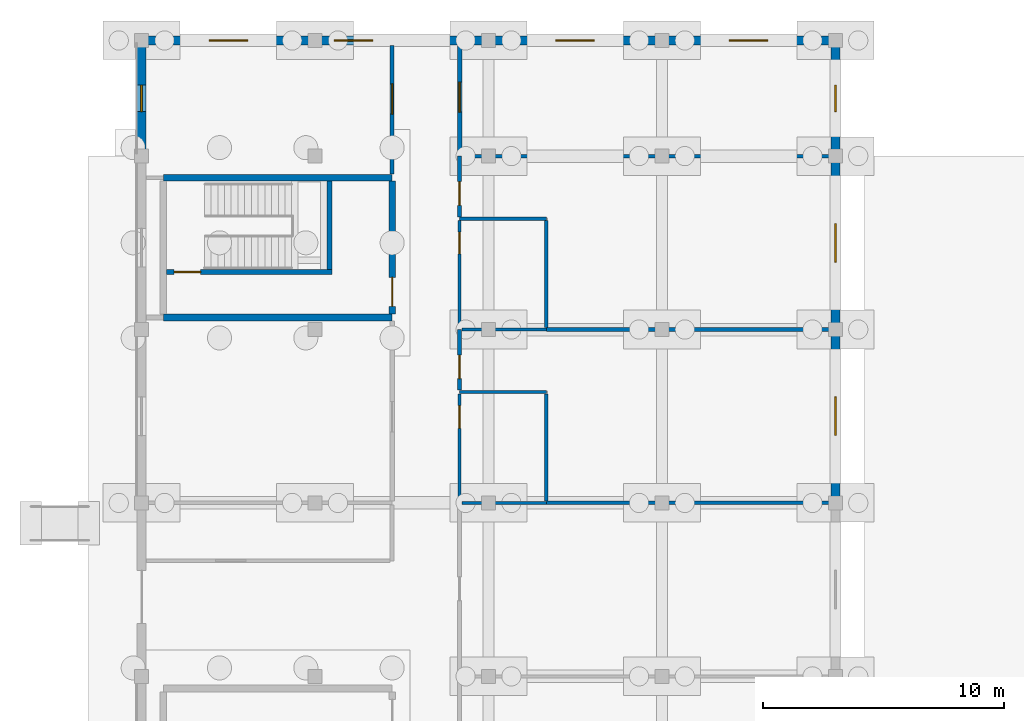
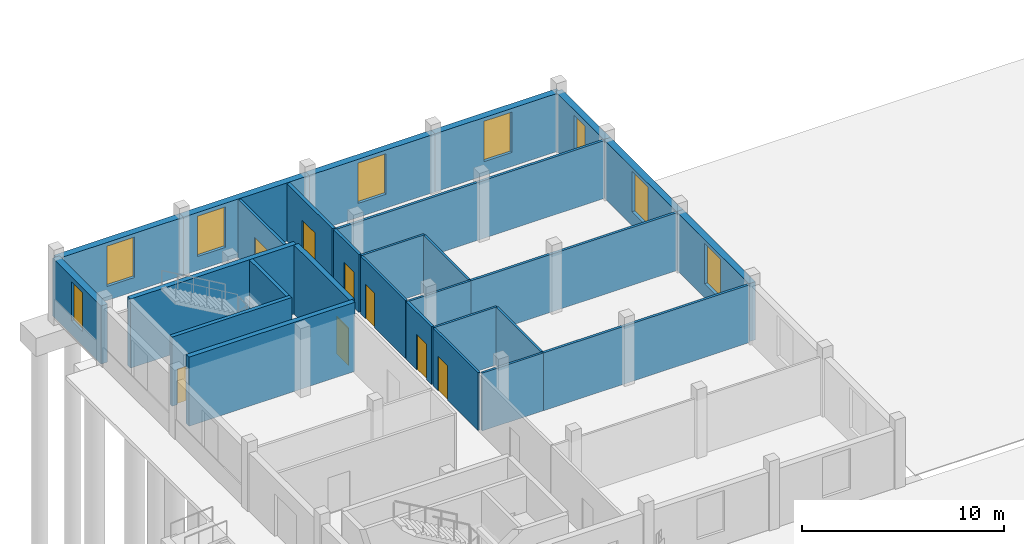
# One storey, part 80 of 98: 28 walls, 8 doors, 8 windows, 16 openings.
"""IFC4 building model written with IfcOpenShell, lengths in metres."""

from ifc_helpers import new_model, si_unit, direction, frame, frame_2d, origin, place, context, subcontext, project, spatial, rectangle, extrude, material, layer, layer_set, type_object, element, fill, save


model = new_model("IFC4")

# Units and contexts
model_context = context("Model", 3, precision=1e-05, world=origin(), true_north=direction((0.0, 1.0)))
body_context = subcontext(model_context, "Body", "Model", "MODEL_VIEW")
ifc_project = project(units=[si_unit("LENGTHUNIT", "METRE"), si_unit("AREAUNIT", "SQUARE_METRE"), si_unit("VOLUMEUNIT", "CUBIC_METRE"), si_unit("PLANEANGLEUNIT", "RADIAN"), si_unit("MASSUNIT", "GRAM", prefix="KILO")], contexts=[model_context])

# Site, building, storey
site_placement = place(None, origin())
site = spatial("IfcSite", under=ifc_project, at=site_placement, CompositionType="ELEMENT")
building_placement = place(site_placement, origin())
building = spatial("IfcBuilding", under=site, at=building_placement, Name="Zornivar Specialist Clinic", CompositionType="ELEMENT")
storey_placement = place(building_placement, origin())
storey = spatial("IfcBuildingStorey", under=building, at=storey_placement, Name="L00", CompositionType="ELEMENT", Elevation=0.0)

# Wall, opening, window
ifc_material_1 = material(Name="Masonry Vratsa Limestone and Brick Banded Wall", Category="masonry")
ifc_layer_1 = layer(ifc_material_1, 0.3798828125)
ifc_layer_set_1 = layer_set([ifc_layer_1], Name="Masonry Vratsa Limestone and Brick Banded Wall")
wall_type_1 = type_object("IfcWallType", Name="EW-LIMESTONE-380", PredefinedType="SOLIDWALL", material=ifc_layer_set_1)
wall_1_placement = place(storey_placement, frame((28.800048828125, 93.60009765625, 0.0), z_axis=(0.0, 0.0, 1.0), x_axis=(0.0, 1.0, 0.0)))
wall_1 = element("IfcWall", 1, at=wall_1_placement, inside=storey, type_object=wall_type_1, Name="ew:V5:L00:06", PredefinedType="SOLIDWALL", context=body_context, shape_type="SweptSolid", body=[
    extrude(rectangle(XDim=7.199951171875, YDim=0.3798828125, at=frame_2d((3.60009765625, 0.0))), origin(), (0.0, 0.0, 1.0), 3.52001953125),
])
opening_1_placement = place(wall_1_placement, frame((2.800048828125, 0.0, 0.85009765625)))
opening_1 = element("IfcOpeningElement", 2, at=opening_1_placement, cuts=wall_1, Name="Opening W-01", PredefinedType="OPENING", context=body_context, shape_type="SweptSolid", body=[
    extrude(rectangle(XDim=1.60009765625, YDim=2.449951171875, at=frame_2d((0.800048828125, 1.22509765625))), frame((0.0, 0.199951171875, 0.0), z_axis=(0.0, -1.0, 0.0), x_axis=(1.0, 0.0, 0.0)), (0.0, 0.0, 1.0), 0.39990234375),
])
ifc_material_2 = material(Name="Triple-Glazed Aluminium-Timber Window Glass", Category="wood")
window_type_1 = type_object("IfcWindowType", Name="WIN-PLINTH-MOD-1600x2450", PartitioningType="SINGLE_PANEL", PredefinedType="WINDOW", material=ifc_material_2)
window_1_placement = place(opening_1_placement, origin())
window_1 = element("IfcWindow", 3, at=window_1_placement, inside=storey, type_object=window_type_1, Name="win:V5:L00:06", OverallHeight=2.449951171875, OverallWidth=1.60009765625, PartitioningType="SINGLE_PANEL", PredefinedType="WINDOW", context=body_context, shape_type="SweptSolid", body=[
    extrude(rectangle(XDim=1.60009765625, YDim=2.449951171875, at=frame_2d((0.800048828125, 1.22509765625))), frame((0.0, 0.030029296875, 0.0), z_axis=(0.0, -1.0, 0.0), x_axis=(1.0, 0.0, 0.0)), (0.0, 0.0, 1.0), 0.06005859375),
])
fill(opening_1, window_1)

wall_2_placement = place(storey_placement, frame((28.800048828125, 100.800048828125, 0.0), z_axis=(0.0, 0.0, 1.0), x_axis=(0.0, 1.0, 0.0)))
wall_2 = element("IfcWall", 4, at=wall_2_placement, inside=storey, type_object=wall_type_1, Name="ew:V5:L00:07", PredefinedType="SOLIDWALL", context=body_context, shape_type="SweptSolid", body=[
    extrude(rectangle(XDim=7.199951171875, YDim=0.3798828125, at=frame_2d((3.60009765625, 0.0))), origin(), (0.0, 0.0, 1.0), 3.52001953125),
])
opening_2_placement = place(wall_2_placement, frame((2.800048828125, 0.0, 0.85009765625)))
opening_2 = element("IfcOpeningElement", 5, at=opening_2_placement, cuts=wall_2, Name="Opening W-01", PredefinedType="OPENING", context=body_context, shape_type="SweptSolid", body=[
    extrude(rectangle(XDim=1.60009765625, YDim=2.449951171875, at=frame_2d((0.800048828125, 1.22509765625))), frame((0.0, 0.199951171875, 0.0), z_axis=(0.0, -1.0, 0.0), x_axis=(1.0, 0.0, 0.0)), (0.0, 0.0, 1.0), 0.39990234375),
])
window_2_placement = place(opening_2_placement, origin())
window_2 = element("IfcWindow", 6, at=window_2_placement, inside=storey, type_object=window_type_1, Name="win:V5:L00:07", OverallHeight=2.449951171875, OverallWidth=1.60009765625, PartitioningType="SINGLE_PANEL", PredefinedType="WINDOW", context=body_context, shape_type="SweptSolid", body=[
    extrude(rectangle(XDim=1.60009765625, YDim=2.449951171875, at=frame_2d((0.800048828125, 1.22509765625))), frame((0.0, 0.030029296875, 0.0), z_axis=(0.0, -1.0, 0.0), x_axis=(1.0, 0.0, 0.0)), (0.0, 0.0, 1.0), 0.06005859375),
])
fill(opening_2, window_2)

wall_3_placement = place(storey_placement, frame((28.800048828125, 108.0, 0.0), z_axis=(0.0, 0.0, 1.0), x_axis=(0.0, 1.0, 0.0)))
wall_3 = element("IfcWall", 7, at=wall_3_placement, inside=storey, type_object=wall_type_1, Name="ew:V5:L00:08", PredefinedType="SOLIDWALL", context=body_context, shape_type="SweptSolid", body=[
    extrude(rectangle(XDim=4.800048828125, YDim=0.3798828125, at=frame_2d((2.39990234375, 0.0))), origin(), (0.0, 0.0, 1.0), 3.52001953125),
])
opening_3_placement = place(wall_3_placement, frame((1.85009765625, 0.0, 0.85009765625)))
opening_3 = element("IfcOpeningElement", 8, at=opening_3_placement, cuts=wall_3, Name="Opening W-04", PredefinedType="OPENING", context=body_context, shape_type="SweptSolid", body=[
    extrude(rectangle(XDim=1.10009765625, YDim=2.35009765625, at=frame_2d((0.550048828125, 1.175048828125))), frame((0.0, 0.199951171875, 0.0), z_axis=(0.0, -1.0, 0.0), x_axis=(1.0, 0.0, 0.0)), (0.0, 0.0, 1.0), 0.39990234375),
])
ifc_material_3 = material(Name="Triple-Glazed Aluminium-Timber Window Glass", Category="wood")
window_type_2 = type_object("IfcWindowType", Name="WIN-PLINTH-PIER-1100x2350", PartitioningType="SINGLE_PANEL", PredefinedType="WINDOW", material=ifc_material_3)
window_3_placement = place(opening_3_placement, origin())
window_3 = element("IfcWindow", 9, at=window_3_placement, inside=storey, type_object=window_type_2, Name="win:V5:L00:08", OverallHeight=2.35009765625, OverallWidth=1.10009765625, PartitioningType="SINGLE_PANEL", PredefinedType="WINDOW", context=body_context, shape_type="SweptSolid", body=[
    extrude(rectangle(XDim=1.10009765625, YDim=2.35009765625, at=frame_2d((0.550048828125, 1.175048828125))), frame((0.0, 0.030029296875, 0.0), z_axis=(0.0, -1.0, 0.0), x_axis=(1.0, 0.0, 0.0)), (0.0, 0.0, 1.0), 0.06005859375),
])
fill(opening_3, window_3)

wall_4_placement = place(storey_placement, frame((28.800048828125, 112.800048828125, 0.0), z_axis=(0.0, 0.0, 1.0), x_axis=(-1.0, 0.0, 0.0)))
wall_4 = element("IfcWall", 10, at=wall_4_placement, inside=storey, type_object=wall_type_1, Name="ew:V5:L00:09", PredefinedType="SOLIDWALL", context=body_context, shape_type="SweptSolid", body=[
    extrude(rectangle(XDim=7.199951171875, YDim=0.3798828125, at=frame_2d((3.60009765625, 0.0))), origin(), (0.0, 0.0, 1.0), 3.52001953125),
])
opening_4_placement = place(wall_4_placement, frame((2.800048828125, 0.0, 0.85009765625)))
opening_4 = element("IfcOpeningElement", 11, at=opening_4_placement, cuts=wall_4, Name="Opening W-01", PredefinedType="OPENING", context=body_context, shape_type="SweptSolid", body=[
    extrude(rectangle(XDim=1.60009765625, YDim=2.449951171875, at=frame_2d((0.800048828125, 1.22509765625))), frame((0.0, 0.199951171875, 0.0), z_axis=(0.0, -1.0, 0.0), x_axis=(1.0, 0.0, 0.0)), (0.0, 0.0, 1.0), 0.39990234375),
])
window_4_placement = place(opening_4_placement, origin())
window_4 = element("IfcWindow", 12, at=window_4_placement, inside=storey, type_object=window_type_1, Name="win:V5:L00:09", OverallHeight=2.449951171875, OverallWidth=1.60009765625, PartitioningType="SINGLE_PANEL", PredefinedType="WINDOW", context=body_context, shape_type="SweptSolid", body=[
    extrude(rectangle(XDim=1.60009765625, YDim=2.449951171875, at=frame_2d((0.800048828125, 1.22509765625))), frame((0.0, 0.030029296875, 0.0), z_axis=(0.0, -1.0, 0.0), x_axis=(1.0, 0.0, 0.0)), (0.0, 0.0, 1.0), 0.06005859375),
])
fill(opening_4, window_4)

wall_5_placement = place(storey_placement, frame((21.60009765625, 112.800048828125, 0.0), z_axis=(0.0, 0.0, 1.0), x_axis=(-1.0, 0.0, 0.0)))
wall_5 = element("IfcWall", 13, at=wall_5_placement, inside=storey, type_object=wall_type_1, Name="ew:V5:L00:10", PredefinedType="SOLIDWALL", context=body_context, shape_type="SweptSolid", body=[
    extrude(rectangle(XDim=7.2001953125, YDim=0.3798828125, at=frame_2d((3.60009765625, 0.0))), origin(), (0.0, 0.0, 1.0), 3.52001953125),
])
opening_5_placement = place(wall_5_placement, frame((2.800048828125, 0.0, 0.85009765625)))
opening_5 = element("IfcOpeningElement", 14, at=opening_5_placement, cuts=wall_5, Name="Opening W-01", PredefinedType="OPENING", context=body_context, shape_type="SweptSolid", body=[
    extrude(rectangle(XDim=1.60009765625, YDim=2.449951171875, at=frame_2d((0.800048828125, 1.22509765625))), frame((0.0, 0.199951171875, 0.0), z_axis=(0.0, -1.0, 0.0), x_axis=(1.0, 0.0, 0.0)), (0.0, 0.0, 1.0), 0.39990234375),
])
window_5_placement = place(opening_5_placement, origin())
window_5 = element("IfcWindow", 15, at=window_5_placement, inside=storey, type_object=window_type_1, Name="win:V5:L00:10", OverallHeight=2.449951171875, OverallWidth=1.60009765625, PartitioningType="SINGLE_PANEL", PredefinedType="WINDOW", context=body_context, shape_type="SweptSolid", body=[
    extrude(rectangle(XDim=1.60009765625, YDim=2.449951171875, at=frame_2d((0.800048828125, 1.22509765625))), frame((0.0, 0.030029296875, 0.0), z_axis=(0.0, -1.0, 0.0), x_axis=(1.0, 0.0, 0.0)), (0.0, 0.0, 1.0), 0.06005859375),
])
fill(opening_5, window_5)

wall_6_placement = place(storey_placement, frame((14.39990234375, 112.800048828125, 0.0), z_axis=(0.0, 0.0, 1.0), x_axis=(-1.0, 0.0, 0.0)))
wall_6 = element("IfcWall", 16, at=wall_6_placement, inside=storey, type_object=wall_type_1, Name="ew:V5:L00:11", PredefinedType="SOLIDWALL", context=body_context, shape_type="SweptSolid", body=[
    extrude(rectangle(XDim=7.199951171875, YDim=0.3798828125, at=frame_2d((3.60009765625, 0.0))), origin(), (0.0, 0.0, 1.0), 3.52001953125),
])
opening_6_placement = place(wall_6_placement, frame((4.800048828125, 0.0, 0.85009765625)))
opening_6 = element("IfcOpeningElement", 17, at=opening_6_placement, cuts=wall_6, Name="Opening W-01", PredefinedType="OPENING", context=body_context, shape_type="SweptSolid", body=[
    extrude(rectangle(XDim=1.60009765625, YDim=2.449951171875, at=frame_2d((0.800048828125, 1.22509765625))), frame((0.0, 0.199951171875, 0.0), z_axis=(0.0, -1.0, 0.0), x_axis=(1.0, 0.0, 0.0)), (0.0, 0.0, 1.0), 0.39990234375),
])
window_6_placement = place(opening_6_placement, origin())
window_6 = element("IfcWindow", 18, at=window_6_placement, inside=storey, type_object=window_type_1, Name="win:V5:L00:11", OverallHeight=2.449951171875, OverallWidth=1.60009765625, PartitioningType="SINGLE_PANEL", PredefinedType="WINDOW", context=body_context, shape_type="SweptSolid", body=[
    extrude(rectangle(XDim=1.60009765625, YDim=2.449951171875, at=frame_2d((0.800048828125, 1.22509765625))), frame((0.0, 0.030029296875, 0.0), z_axis=(0.0, -1.0, 0.0), x_axis=(1.0, 0.0, 0.0)), (0.0, 0.0, 1.0), 0.06005859375),
])
fill(opening_6, window_6)

wall_7_placement = place(storey_placement, frame((7.199951171875, 112.800048828125, 0.0), z_axis=(0.0, 0.0, 1.0), x_axis=(-1.0, 0.0, 0.0)))
wall_7 = element("IfcWall", 19, at=wall_7_placement, inside=storey, type_object=wall_type_1, Name="ew:V5:L00:12", PredefinedType="SOLIDWALL", context=body_context, shape_type="SweptSolid", body=[
    extrude(rectangle(XDim=7.199951171875, YDim=0.3798828125, at=frame_2d((3.60009765625, 0.0))), origin(), (0.0, 0.0, 1.0), 3.52001953125),
])
opening_7_placement = place(wall_7_placement, frame((2.800048828125, 0.0, 0.85009765625)))
opening_7 = element("IfcOpeningElement", 20, at=opening_7_placement, cuts=wall_7, Name="Opening W-01", PredefinedType="OPENING", context=body_context, shape_type="SweptSolid", body=[
    extrude(rectangle(XDim=1.60009765625, YDim=2.449951171875, at=frame_2d((0.800048828125, 1.22509765625))), frame((0.0, 0.199951171875, 0.0), z_axis=(0.0, -1.0, 0.0), x_axis=(1.0, 0.0, 0.0)), (0.0, 0.0, 1.0), 0.39990234375),
])
window_7_placement = place(opening_7_placement, origin())
window_7 = element("IfcWindow", 21, at=window_7_placement, inside=storey, type_object=window_type_1, Name="win:V5:L00:12", OverallHeight=2.449951171875, OverallWidth=1.60009765625, PartitioningType="SINGLE_PANEL", PredefinedType="WINDOW", context=body_context, shape_type="SweptSolid", body=[
    extrude(rectangle(XDim=1.60009765625, YDim=2.449951171875, at=frame_2d((0.800048828125, 1.22509765625))), frame((0.0, 0.030029296875, 0.0), z_axis=(0.0, -1.0, 0.0), x_axis=(1.0, 0.0, 0.0)), (0.0, 0.0, 1.0), 0.06005859375),
])
fill(opening_7, window_7)

wall_8_placement = place(storey_placement, frame((0.0, 112.800048828125, 0.0), z_axis=(0.0, 0.0, 1.0), x_axis=(0.0, -1.0, 0.0)))
wall_8 = element("IfcWall", 22, at=wall_8_placement, inside=storey, type_object=wall_type_1, Name="ew:V5:L00:13", PredefinedType="SOLIDWALL", context=body_context, shape_type="SweptSolid", body=[
    extrude(rectangle(XDim=4.800048828125, YDim=0.3798828125, at=frame_2d((2.39990234375, 0.0))), origin(), (0.0, 0.0, 1.0), 3.52001953125),
])
opening_8_placement = place(wall_8_placement, frame((1.85009765625, 0.0, 0.85009765625)))
opening_8 = element("IfcOpeningElement", 23, at=opening_8_placement, cuts=wall_8, Name="Opening W-04", PredefinedType="OPENING", context=body_context, shape_type="SweptSolid", body=[
    extrude(rectangle(XDim=1.10009765625, YDim=2.35009765625, at=frame_2d((0.550048828125, 1.175048828125))), frame((0.0, 0.199951171875, 0.0), z_axis=(0.0, -1.0, 0.0), x_axis=(1.0, 0.0, 0.0)), (0.0, 0.0, 1.0), 0.39990234375),
])
window_8_placement = place(opening_8_placement, origin())
window_8 = element("IfcWindow", 24, at=window_8_placement, inside=storey, type_object=window_type_2, Name="win:V5:L00:13", OverallHeight=2.35009765625, OverallWidth=1.10009765625, PartitioningType="SINGLE_PANEL", PredefinedType="WINDOW", context=body_context, shape_type="SweptSolid", body=[
    extrude(rectangle(XDim=1.10009765625, YDim=2.35009765625, at=frame_2d((0.550048828125, 1.175048828125))), frame((0.0, 0.030029296875, 0.0), z_axis=(0.0, -1.0, 0.0), x_axis=(1.0, 0.0, 0.0)), (0.0, 0.0, 1.0), 0.06005859375),
])
fill(opening_8, window_8)

# Wall, opening, door
ifc_material_4 = material(Name="Gypsum Fire-Rated Double Stud Partition")
ifc_layer_2 = layer(ifc_material_4, 0.159912109375)
ifc_layer_set_2 = layer_set([ifc_layer_2], Name="Gypsum Fire-Rated Double Stud Partition")
wall_type_2 = type_object("IfcWallType", Name="IW-CORR-EI60-160", PredefinedType="PARTITIONING", material=ifc_layer_set_2)
wall_9_placement = place(storey_placement, frame((10.39990234375, 112.594970703125, 0.0), z_axis=(0.0, 0.0, 1.0), x_axis=(0.0, -1.0, 0.0)))
wall_9 = element("IfcWall", 25, at=wall_9_placement, inside=storey, type_object=wall_type_2, Name="iw:L00:178", PredefinedType="PARTITIONING", context=body_context, shape_type="SweptSolid", body=[
    extrude(rectangle(XDim=5.340087890625, YDim=0.159912109375, at=frame_2d((2.669921875, 0.0))), origin(), (0.0, 0.0, 1.0), 3.5),
])
opening_9_placement = place(wall_9_placement, frame((1.597900390625, 0.0, 0.0)))
opening_9 = element("IfcOpeningElement", 26, at=opening_9_placement, cuts=wall_9, Name="Opening FD-06", PredefinedType="OPENING", context=body_context, shape_type="SweptSolid", body=[
    extrude(rectangle(XDim=1.25, YDim=2.199951171875, at=frame_2d((0.625, 1.10009765625))), frame((0.0, 0.08984375, 0.0), z_axis=(0.0, -1.0, 0.0), x_axis=(1.0, 0.0, 0.0)), (0.0, 0.0, 1.0), 0.179931640625),
])
ifc_material_5 = material(Name="Solid-Core Hygienic Laminate Timber Door", Category="wood")
door_type_1 = type_object("IfcDoorType", Name="FD-PHARM-GMP-1250x2200", OperationType="NOTDEFINED", PredefinedType="DOOR", material=ifc_material_5)
door_1_placement = place(opening_9_placement, origin())
door_1 = element("IfcDoor", 27, at=door_1_placement, inside=storey, type_object=door_type_1, Name="door:space:V5:L00:rm:02", OperationType="SINGLE_SWING_RIGHT", OverallHeight=2.199951171875, OverallWidth=1.25, PredefinedType="DOOR", context=body_context, shape_type="SweptSolid", body=[
    extrude(rectangle(XDim=1.25, YDim=2.199951171875, at=frame_2d((0.625, 1.10009765625))), frame((0.0, 0.02490234375, 0.0), z_axis=(0.0, -1.0, 0.0), x_axis=(1.0, 0.0, 0.0)), (0.0, 0.0, 1.0), 0.050048828125),
])
fill(opening_9, door_1)

wall_10_placement = place(storey_placement, frame((13.199951171875, 98.279052734375, 0.0), z_axis=(0.0, 0.0, 1.0), x_axis=(0.0, 1.0, 0.0)))
wall_10 = element("IfcWall", 28, at=wall_10_placement, inside=storey, type_object=wall_type_2, Name="iw:L00:188", PredefinedType="PARTITIONING", context=body_context, shape_type="SweptSolid", body=[
    extrude(rectangle(XDim=2.52099609375, YDim=0.159912109375, at=frame_2d((1.260498046875, 0.0))), origin(), (0.0, 0.0, 1.0), 3.5),
])
opening_10_placement = place(wall_10_placement, frame((0.47998046875, 0.0, 0.0)))
opening_10 = element("IfcOpeningElement", 29, at=opening_10_placement, cuts=wall_10, Name="Opening ID-09", PredefinedType="OPENING", context=body_context, shape_type="SweptSolid", body=[
    extrude(rectangle(XDim=0.97998046875, YDim=2.14990234375, at=frame_2d((0.489990234375, 1.074951171875))), frame((0.0, 0.08984375, 0.0), z_axis=(0.0, -1.0, 0.0), x_axis=(1.0, 0.0, 0.0)), (0.0, 0.0, 1.0), 0.179931640625),
])
ifc_material_6 = material(Name="Solid-Core Hygienic Laminate Timber Door", Category="wood")
door_type_2 = type_object("IfcDoorType", Name="ID-STAFF-0980x2150", OperationType="NOTDEFINED", PredefinedType="DOOR", material=ifc_material_6)
door_2_placement = place(opening_10_placement, origin())
door_2 = element("IfcDoor", 30, at=door_2_placement, inside=storey, type_object=door_type_2, Name="door:space:V5:L00:rm:05b", OperationType="SINGLE_SWING_RIGHT", OverallHeight=2.14990234375, OverallWidth=0.97998046875, PredefinedType="DOOR", context=body_context, shape_type="SweptSolid", body=[
    extrude(rectangle(XDim=0.97998046875, YDim=2.14990234375, at=frame_2d((0.489990234375, 1.074951171875))), frame((0.0, 0.02490234375, 0.0), z_axis=(0.0, -1.0, 0.0), x_axis=(1.0, 0.0, 0.0)), (0.0, 0.0, 1.0), 0.050048828125),
])
fill(opening_10, door_2)

wall_11_placement = place(storey_placement, frame((13.199951171875, 105.47900390625, 0.0), z_axis=(0.0, 0.0, 1.0), x_axis=(0.0, 1.0, 0.0)))
wall_11 = element("IfcWall", 31, at=wall_11_placement, inside=storey, type_object=wall_type_2, Name="iw:L00:194", PredefinedType="PARTITIONING", context=body_context, shape_type="SweptSolid", body=[
    extrude(rectangle(XDim=2.52099609375, YDim=0.159912109375, at=frame_2d((1.260498046875, 0.0))), origin(), (0.0, 0.0, 1.0), 3.5),
])
opening_11_placement = place(wall_11_placement, frame((0.47998046875, 0.0, 0.0)))
opening_11 = element("IfcOpeningElement", 32, at=opening_11_placement, cuts=wall_11, Name="Opening ID-09", PredefinedType="OPENING", context=body_context, shape_type="SweptSolid", body=[
    extrude(rectangle(XDim=0.97998046875, YDim=2.14990234375, at=frame_2d((0.489990234375, 1.074951171875))), frame((0.0, 0.08984375, 0.0), z_axis=(0.0, -1.0, 0.0), x_axis=(1.0, 0.0, 0.0)), (0.0, 0.0, 1.0), 0.179931640625),
])
door_3_placement = place(opening_11_placement, origin())
door_3 = element("IfcDoor", 33, at=door_3_placement, inside=storey, type_object=door_type_2, Name="door:space:V5:L00:rm:07b", OperationType="SINGLE_SWING_RIGHT", OverallHeight=2.14990234375, OverallWidth=0.97998046875, PredefinedType="DOOR", context=body_context, shape_type="SweptSolid", body=[
    extrude(rectangle(XDim=0.97998046875, YDim=2.14990234375, at=frame_2d((0.489990234375, 1.074951171875))), frame((0.0, 0.02490234375, 0.0), z_axis=(0.0, -1.0, 0.0), x_axis=(1.0, 0.0, 0.0)), (0.0, 0.0, 1.0), 0.050048828125),
])
fill(opening_11, door_3)

ifc_material_7 = material(Name="GMP Cleanroom Insulated Double Partition")
ifc_layer_3 = layer(ifc_material_7, 0.18994140625)
ifc_layer_set_3 = layer_set([ifc_layer_3], Name="GMP Cleanroom Insulated Double Partition")
wall_type_3 = type_object("IfcWallType", Name="IW-PHARM-GMP-190", PredefinedType="PARTITIONING", material=ifc_layer_set_3)
wall_12_placement = place(storey_placement, frame((13.199951171875, 108.089111328125, 0.0), z_axis=(0.0, 0.0, 1.0), x_axis=(0.0, 1.0, 0.0)))
wall_12 = element("IfcWall", 34, at=wall_12_placement, inside=storey, type_object=wall_type_3, Name="iw:L00:196", PredefinedType="PARTITIONING", context=body_context, shape_type="SweptSolid", body=[
    extrude(rectangle(XDim=4.505859375, YDim=0.18994140625, at=frame_2d((2.2529296875, 0.0))), origin(), (0.0, 0.0, 1.0), 3.5),
])
opening_12_placement = place(wall_12_placement, frame((1.73193359375, 0.0, 0.0)))
opening_12 = element("IfcOpeningElement", 35, at=opening_12_placement, cuts=wall_12, Name="Opening FD-06", PredefinedType="OPENING", context=body_context, shape_type="SweptSolid", body=[
    extrude(rectangle(XDim=1.25, YDim=2.199951171875, at=frame_2d((0.625, 1.10009765625))), frame((0.0, 0.10498046875, 0.0), z_axis=(0.0, -1.0, 0.0), x_axis=(1.0, 0.0, 0.0)), (0.0, 0.0, 1.0), 0.2099609375),
])
door_4_placement = place(opening_12_placement, origin())
door_4 = element("IfcDoor", 36, at=door_4_placement, inside=storey, type_object=door_type_1, Name="door:space:V5:L00:rm:09", OperationType="SINGLE_SWING_LEFT", OverallHeight=2.199951171875, OverallWidth=1.25, PredefinedType="DOOR", context=body_context, shape_type="SweptSolid", body=[
    extrude(rectangle(XDim=1.25, YDim=2.199951171875, at=frame_2d((0.625, 1.10009765625))), frame((0.0, 0.02490234375, 0.0), z_axis=(0.0, -1.0, 0.0), x_axis=(1.0, 0.0, 0.0)), (0.0, 0.0, 1.0), 0.050048828125),
])
fill(opening_12, door_4)

# Walls
ifc_material_8 = material(Name="Hygienic Lead-Free Procedure Partition")
ifc_layer_4 = layer(ifc_material_8, 0.14990234375)
ifc_layer_set_4 = layer_set([ifc_layer_4], Name="Hygienic Lead-Free Procedure Partition")
wall_type_4 = type_object("IfcWallType", Name="IW-PROC-150", PredefinedType="PARTITIONING", material=ifc_layer_set_4)
for number, where, z_axis, x_axis, name in (
    (37, (16.81201171875, 93.60009765625, 0.0), (0.0, 0.0, 1.0), (1.0, 0.0, 0.0), "iw:L00:184"),
    (38, (16.81201171875, 100.800048828125, 0.0), (0.0, 0.0, 1.0), (1.0, 0.0, 0.0), "iw:L00:190"),
):
    element("IfcWall", number, at=place(storey_placement, frame(where, z_axis=z_axis, x_axis=x_axis)), inside=storey, type_object=wall_type_4, Name=name, PredefinedType="PARTITIONING", context=body_context, shape_type="SweptSolid", body=[
        extrude(rectangle(XDim=11.782958984375, YDim=0.14990234375, at=frame_2d((5.8916015625, 0.0))), origin(), (0.0, 0.0, 1.0), 3.5),
    ])
wall_13_placement = place(storey_placement, frame((13.2939453125, 108.0, 0.0), z_axis=(0.0, 0.0, 1.0), x_axis=(1.0, 0.0, 0.0)))
element("IfcWall", 39, at=wall_13_placement, inside=storey, type_object=wall_type_4, Name="iw:L00:195", PredefinedType="PARTITIONING", context=body_context, shape_type="SweptSolid", body=[
    extrude(rectangle(XDim=15.301025390625, YDim=0.14990234375, at=frame_2d((7.650390625, 0.0))), origin(), (0.0, 0.0, 1.0), 3.5),
])
ifc_material_9 = material(Name="Moisture-Resistant Sanitary Partition")
ifc_layer_5 = layer(ifc_material_9, 0.1298828125)
ifc_layer_set_5 = layer_set([ifc_layer_5], Name="Moisture-Resistant Sanitary Partition")
wall_type_5 = type_object("IfcWallType", Name="IW-WET-130", PredefinedType="PARTITIONING", material=ifc_layer_set_5)
wall_14_placement = place(storey_placement, frame((13.2939453125, 93.60009765625, 0.0), z_axis=(0.0, 0.0, 1.0), x_axis=(1.0, 0.0, 0.0)))
element("IfcWall", 40, at=wall_14_placement, inside=storey, type_object=wall_type_5, Name="iw:L00:183", PredefinedType="PARTITIONING", context=body_context, shape_type="SweptSolid", body=[
    extrude(rectangle(XDim=3.506103515625, YDim=0.1298828125, at=frame_2d((1.7529296875, 0.0))), origin(), (0.0, 0.0, 1.0), 3.5),
])
wall_15_placement = place(storey_placement, frame((13.199951171875, 98.199951171875, 0.0), z_axis=(0.0, 0.0, 1.0), x_axis=(1.0, 0.0, 0.0)))
element("IfcWall", 41, at=wall_15_placement, inside=storey, type_object=wall_type_5, Name="iw:L00:185", PredefinedType="PARTITIONING", context=body_context, shape_type="SweptSolid", body=[
    extrude(rectangle(XDim=3.60009765625, YDim=0.1298828125, at=frame_2d((1.800048828125, 0.0))), origin(), (0.0, 0.0, 1.0), 3.5),
])
wall_16_placement = place(storey_placement, frame((16.800048828125, 98.12109375, 0.0), z_axis=(0.0, 0.0, 1.0), x_axis=(0.0, -1.0, 0.0)))
element("IfcWall", 42, at=wall_16_placement, inside=storey, type_object=wall_type_5, Name="iw:L00:186", PredefinedType="PARTITIONING", context=body_context, shape_type="SweptSolid", body=[
    extrude(rectangle(XDim=4.43212890625, YDim=0.1298828125, at=frame_2d((2.216064453125, 0.0))), origin(), (0.0, 0.0, 1.0), 3.5),
])

# Wall, opening, door
wall_17_placement = place(storey_placement, frame((13.199951171875, 93.678955078125, 0.0), z_axis=(0.0, 0.0, 1.0), x_axis=(0.0, 1.0, 0.0)))
wall_17 = element("IfcWall", 43, at=wall_17_placement, inside=storey, type_object=wall_type_5, Name="iw:L00:187", PredefinedType="PARTITIONING", context=body_context, shape_type="SweptSolid", body=[
    extrude(rectangle(XDim=4.442138671875, YDim=0.1298828125, at=frame_2d((2.22119140625, 0.0))), origin(), (0.0, 0.0, 1.0), 3.5),
])
opening_13_placement = place(wall_17_placement, frame((3.011962890625, 0.0, 0.0)))
opening_13 = element("IfcOpeningElement", 44, at=opening_13_placement, cuts=wall_17, Name="Opening ID-07", PredefinedType="OPENING", context=body_context, shape_type="SweptSolid", body=[
    extrude(rectangle(XDim=0.949951171875, YDim=2.10009765625, at=frame_2d((0.47509765625, 1.050048828125))), frame((0.0, 0.074951171875, 0.0), z_axis=(0.0, -1.0, 0.0), x_axis=(1.0, 0.0, 0.0)), (0.0, 0.0, 1.0), 0.14990234375),
])
ifc_material_10 = material(Name="Solid-Core Hygienic Laminate Timber Door", Category="wood")
door_type_3 = type_object("IfcDoorType", Name="ID-WC-ACC-0950x2100", OperationType="NOTDEFINED", PredefinedType="DOOR", material=ifc_material_10)
door_5_placement = place(opening_13_placement, origin())
door_5 = element("IfcDoor", 45, at=door_5_placement, inside=storey, type_object=door_type_3, Name="door:space:V5:L00:rm:05", OperationType="SINGLE_SWING_LEFT", OverallHeight=2.10009765625, OverallWidth=0.949951171875, PredefinedType="DOOR", context=body_context, shape_type="SweptSolid", body=[
    extrude(rectangle(XDim=0.949951171875, YDim=2.10009765625, at=frame_2d((0.47509765625, 1.050048828125))), frame((0.0, 0.02490234375, 0.0), z_axis=(0.0, -1.0, 0.0), x_axis=(1.0, 0.0, 0.0)), (0.0, 0.0, 1.0), 0.050048828125),
])
fill(opening_13, door_5)

# Walls
wall_18_placement = place(storey_placement, frame((13.2939453125, 100.800048828125, 0.0), z_axis=(0.0, 0.0, 1.0), x_axis=(1.0, 0.0, 0.0)))
element("IfcWall", 46, at=wall_18_placement, inside=storey, type_object=wall_type_5, Name="iw:L00:189", PredefinedType="PARTITIONING", context=body_context, shape_type="SweptSolid", body=[
    extrude(rectangle(XDim=3.506103515625, YDim=0.1298828125, at=frame_2d((1.7529296875, 0.0))), origin(), (0.0, 0.0, 1.0), 3.5),
])
wall_19_placement = place(storey_placement, frame((13.199951171875, 105.39990234375, 0.0), z_axis=(0.0, 0.0, 1.0), x_axis=(1.0, 0.0, 0.0)))
element("IfcWall", 47, at=wall_19_placement, inside=storey, type_object=wall_type_5, Name="iw:L00:191", PredefinedType="PARTITIONING", context=body_context, shape_type="SweptSolid", body=[
    extrude(rectangle(XDim=3.60009765625, YDim=0.1298828125, at=frame_2d((1.800048828125, 0.0))), origin(), (0.0, 0.0, 1.0), 3.5),
])
wall_20_placement = place(storey_placement, frame((16.800048828125, 105.321044921875, 0.0), z_axis=(0.0, 0.0, 1.0), x_axis=(0.0, -1.0, 0.0)))
element("IfcWall", 48, at=wall_20_placement, inside=storey, type_object=wall_type_5, Name="iw:L00:192", PredefinedType="PARTITIONING", context=body_context, shape_type="SweptSolid", body=[
    extrude(rectangle(XDim=4.43212890625, YDim=0.1298828125, at=frame_2d((2.216064453125, 0.0))), origin(), (0.0, 0.0, 1.0), 3.5),
])

# Wall, opening, door
wall_21_placement = place(storey_placement, frame((13.199951171875, 100.87890625, 0.0), z_axis=(0.0, 0.0, 1.0), x_axis=(0.0, 1.0, 0.0)))
wall_21 = element("IfcWall", 49, at=wall_21_placement, inside=storey, type_object=wall_type_5, Name="iw:L00:193", PredefinedType="PARTITIONING", context=body_context, shape_type="SweptSolid", body=[
    extrude(rectangle(XDim=4.442138671875, YDim=0.1298828125, at=frame_2d((2.22119140625, 0.0))), origin(), (0.0, 0.0, 1.0), 3.5),
])
opening_14_placement = place(wall_21_placement, frame((3.06201171875, 0.0, 0.0)))
opening_14 = element("IfcOpeningElement", 50, at=opening_14_placement, cuts=wall_21, Name="Opening ID-08", PredefinedType="OPENING", context=body_context, shape_type="SweptSolid", body=[
    extrude(rectangle(XDim=0.89990234375, YDim=2.10009765625, at=frame_2d((0.449951171875, 1.050048828125))), frame((0.0, 0.074951171875, 0.0), z_axis=(0.0, -1.0, 0.0), x_axis=(1.0, 0.0, 0.0)), (0.0, 0.0, 1.0), 0.14990234375),
])
ifc_material_11 = material(Name="Solid-Core Hygienic Laminate Timber Door", Category="wood")
door_type_4 = type_object("IfcDoorType", Name="ID-WC-STD-0900x2100", OperationType="NOTDEFINED", PredefinedType="DOOR", material=ifc_material_11)
door_6_placement = place(opening_14_placement, origin())
door_6 = element("IfcDoor", 51, at=door_6_placement, inside=storey, type_object=door_type_4, Name="door:space:V5:L00:rm:07", OperationType="SINGLE_SWING_LEFT", OverallHeight=2.10009765625, OverallWidth=0.89990234375, PredefinedType="DOOR", context=body_context, shape_type="SweptSolid", body=[
    extrude(rectangle(XDim=0.89990234375, YDim=2.10009765625, at=frame_2d((0.449951171875, 1.050048828125))), frame((0.0, 0.02490234375, 0.0), z_axis=(0.0, -1.0, 0.0), x_axis=(1.0, 0.0, 0.0)), (0.0, 0.0, 1.0), 0.050048828125),
])
fill(opening_14, door_6)

# Wall
ifc_material_12 = material(Name="Concrete C35/45", Category="concrete")
ifc_layer_6 = layer(ifc_material_12, 0.280029296875)
ifc_layer_set_6 = layer_set([ifc_layer_6], Name="Concrete C35/45")
wall_type_6 = type_object("IfcWallType", Name="SW-CORE-280", PredefinedType="SHEAR", material=ifc_layer_set_6)
wall_22_placement = place(storey_placement, frame((0.89990234375, 101.300048828125, 0.0), z_axis=(0.0, 0.0, 1.0), x_axis=(1.0, 0.0, 0.0)))
element("IfcWall", 52, at=wall_22_placement, inside=storey, type_object=wall_type_6, Name="sw:C8:L00:w0", PredefinedType="SHEAR", context=body_context, shape_type="SweptSolid", body=[
    extrude(rectangle(XDim=9.5, YDim=0.280029296875, at=frame_2d((4.75, 0.0))), origin(), (0.0, 0.0, 1.0), 4.18994140625),
])

# Wall, opening, door
wall_23_placement = place(storey_placement, frame((10.39990234375, 101.43994140625, 0.0), z_axis=(0.0, 0.0, 1.0), x_axis=(0.0, 1.0, 0.0)))
wall_23 = element("IfcWall", 53, at=wall_23_placement, inside=storey, type_object=wall_type_6, Name="sw:C8:L00:w1", PredefinedType="SHEAR", context=body_context, shape_type="SweptSolid", body=[
    extrude(rectangle(XDim=5.52001953125, YDim=0.280029296875, at=frame_2d((2.760009765625, 0.0))), origin(), (0.0, 0.0, 1.0), 4.18994140625),
])
opening_15_placement = place(wall_23_placement, frame((0.320068359375, 0.0, 0.0)))
opening_15 = element("IfcOpeningElement", 54, at=opening_15_placement, cuts=wall_23, Name="Opening FD-01", PredefinedType="OPENING", context=body_context, shape_type="SweptSolid", body=[
    extrude(rectangle(XDim=1.199951171875, YDim=2.25, at=frame_2d((0.60009765625, 1.125))), frame((0.0, 0.14990234375, 0.0), z_axis=(0.0, -1.0, 0.0), x_axis=(1.0, 0.0, 0.0)), (0.0, 0.0, 1.0), 0.300048828125),
])
ifc_material_13 = material(Name="Solid-Core Hygienic Laminate Timber Door", Category="wood")
door_type_5 = type_object("IfcDoorType", Name="FD-LOBBY-MAIN-1200x2250", OperationType="NOTDEFINED", PredefinedType="DOOR", material=ifc_material_13)
door_7_placement = place(opening_15_placement, origin())
door_7 = element("IfcDoor", 55, at=door_7_placement, inside=storey, type_object=door_type_5, Name="door:C8:L00:lob", OperationType="SINGLE_SWING_RIGHT", OverallHeight=2.25, OverallWidth=1.199951171875, PredefinedType="DOOR", context=body_context, shape_type="SweptSolid", body=[
    extrude(rectangle(XDim=1.199951171875, YDim=2.25, at=frame_2d((0.60009765625, 1.125))), frame((0.0, 0.02490234375, 0.0), z_axis=(0.0, -1.0, 0.0), x_axis=(1.0, 0.0, 0.0)), (0.0, 0.0, 1.0), 0.050048828125),
])
fill(opening_15, door_7)

# Walls
wall_24_placement = place(storey_placement, frame((10.39990234375, 107.10009765625, 0.0), z_axis=(0.0, 0.0, 1.0), x_axis=(-1.0, 0.0, 0.0)))
element("IfcWall", 56, at=wall_24_placement, inside=storey, type_object=wall_type_6, Name="sw:C8:L00:w2", PredefinedType="SHEAR", context=body_context, shape_type="SweptSolid", body=[
    extrude(rectangle(XDim=9.5, YDim=0.280029296875, at=frame_2d((4.75, 0.0))), origin(), (0.0, 0.0, 1.0), 4.18994140625),
])
ifc_material_14 = material(Name="Concrete C30/37", Category="concrete")
ifc_layer_7 = layer(ifc_material_14, 0.199951171875)
ifc_layer_set_7 = layer_set([ifc_layer_7], Name="Concrete C30/37")
wall_type_7 = type_object("IfcWallType", Name="SW-LIFT-200", PredefinedType="SHEAR", material=ifc_layer_set_7)
wall_25_placement = place(storey_placement, frame((7.800048828125, 103.300048828125, 0.0), z_axis=(0.0, 0.0, 1.0), x_axis=(0.0, 1.0, 0.0)))
element("IfcWall", 57, at=wall_25_placement, inside=storey, type_object=wall_type_7, Name="sw:C8:L00:sdiv", PredefinedType="SHEAR", context=body_context, shape_type="SweptSolid", body=[
    extrude(rectangle(XDim=3.659912109375, YDim=0.199951171875, at=frame_2d((1.830078125, 0.0))), origin(), (0.0, 0.0, 1.0), 4.18994140625),
])

# Wall, opening, door
ifc_material_15 = material(Name="Concrete C30/37", Category="concrete")
ifc_layer_8 = layer(ifc_material_15, 0.219970703125)
ifc_layer_set_8 = layer_set([ifc_layer_8], Name="Concrete C30/37")
wall_type_8 = type_object("IfcWallType", Name="SW-SHAFT-220", PredefinedType="SHEAR", material=ifc_layer_set_8)
wall_26_placement = place(storey_placement, frame((1.0400390625, 103.18994140625, 0.0), z_axis=(0.0, 0.0, 1.0), x_axis=(1.0, 0.0, 0.0)))
wall_26 = element("IfcWall", 58, at=wall_26_placement, inside=storey, type_object=wall_type_8, Name="sw:C8:L00:stwall", PredefinedType="SHEAR", context=body_context, shape_type="SweptSolid", body=[
    extrude(rectangle(XDim=6.85986328125, YDim=0.219970703125, at=frame_2d((3.429931640625, 0.0))), origin(), (0.0, 0.0, 1.0), 4.18994140625),
])
opening_16_placement = place(wall_26_placement, frame((0.31005859375, 0.0, 0.0)))
opening_16 = element("IfcOpeningElement", 59, at=opening_16_placement, cuts=wall_26, Name="Opening FD-02", PredefinedType="OPENING", context=body_context, shape_type="SweptSolid", body=[
    extrude(rectangle(XDim=1.10009765625, YDim=2.14990234375, at=frame_2d((0.550048828125, 1.074951171875))), frame((0.0, 0.119873046875, 0.0), z_axis=(0.0, -1.0, 0.0), x_axis=(1.0, 0.0, 0.0)), (0.0, 0.0, 1.0), 0.239990234375),
])
ifc_material_16 = material(Name="Solid-Core Hygienic Laminate Timber Door", Category="wood")
door_type_6 = type_object("IfcDoorType", Name="FD-STAIR-1100x2150", OperationType="NOTDEFINED", PredefinedType="DOOR", material=ifc_material_16)
door_8_placement = place(opening_16_placement, origin())
door_8 = element("IfcDoor", 60, at=door_8_placement, inside=storey, type_object=door_type_6, Name="door:C8:L00:stair", OperationType="SINGLE_SWING_LEFT", OverallHeight=2.14990234375, OverallWidth=1.10009765625, PredefinedType="DOOR", context=body_context, shape_type="SweptSolid", body=[
    extrude(rectangle(XDim=1.10009765625, YDim=2.14990234375, at=frame_2d((0.550048828125, 1.074951171875))), frame((0.0, 0.02490234375, 0.0), z_axis=(0.0, -1.0, 0.0), x_axis=(1.0, 0.0, 0.0)), (0.0, 0.0, 1.0), 0.050048828125),
])
fill(opening_16, door_8)

save(model, "model.ifc")
